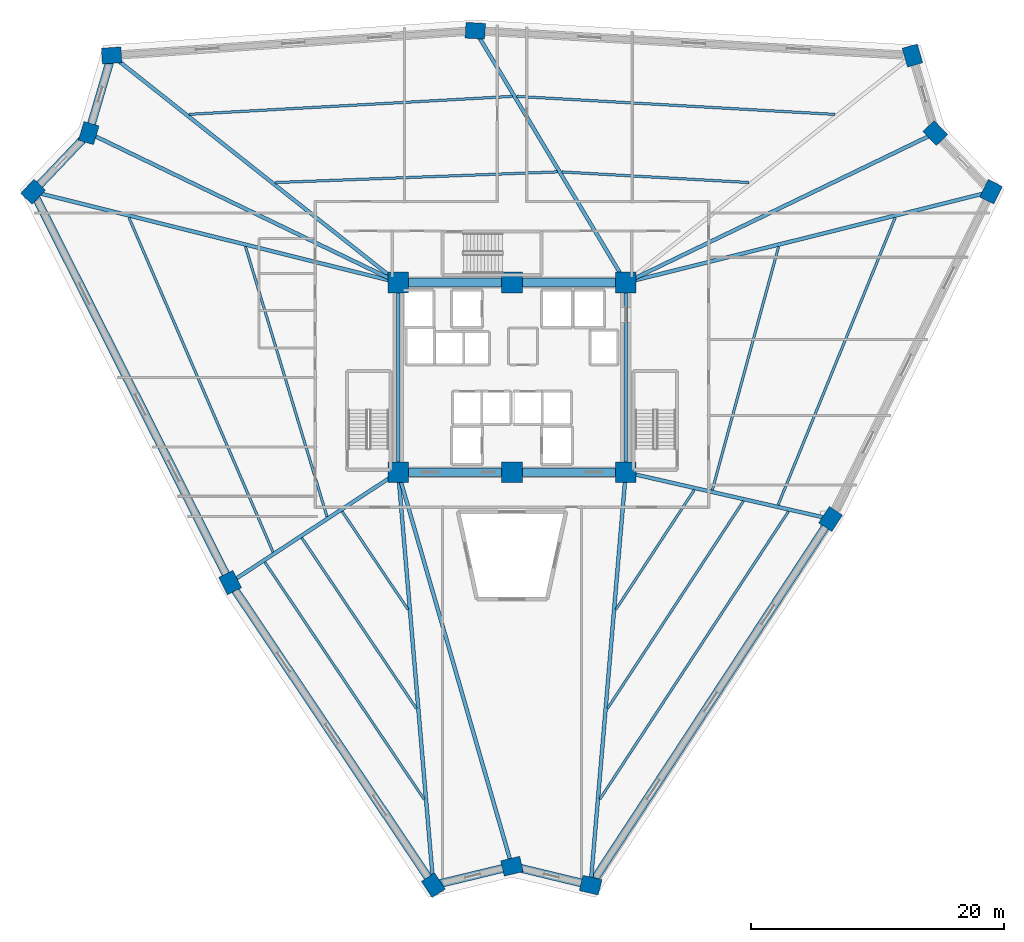
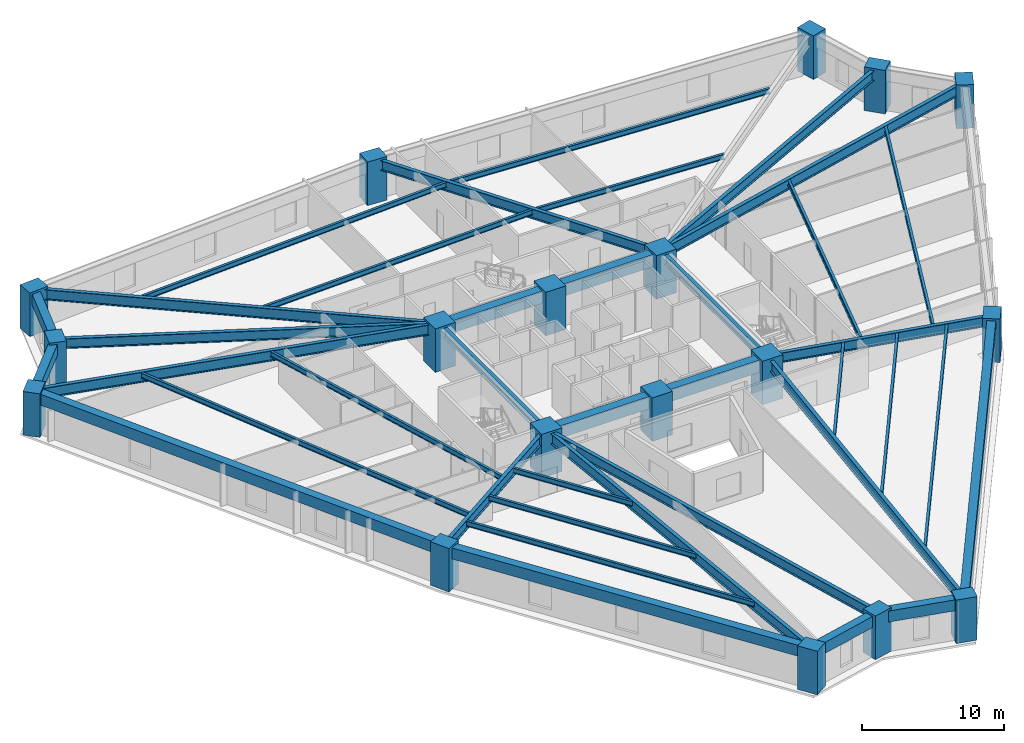
# One storey, part 1 of 9: 38 beams, 18 columns.
"""IFC4 building model written with IfcOpenShell, lengths in metres."""

from ifc_helpers import new_model, si_unit, direction, frame, origin, origin_2d, place, context, subcontext, project, spatial, rectangle, i_section, extrude, source, transform, mapped, material, material_profile, profile_set, type_object, element, save


model = new_model("IFC4")

# Units and contexts
model_context = context("Model", 3, precision=1e-05, world=origin(), true_north=direction((0.0, 1.0)))
body_context = subcontext(model_context, "Body", "Model", "MODEL_VIEW")
ifc_project = project(units=[si_unit("LENGTHUNIT", "METRE"), si_unit("AREAUNIT", "SQUARE_METRE"), si_unit("VOLUMEUNIT", "CUBIC_METRE"), si_unit("PLANEANGLEUNIT", "RADIAN"), si_unit("MASSUNIT", "GRAM", prefix="KILO")], contexts=[model_context])

# Site, building, storey
site_placement = place(None, origin())
site = spatial("IfcSite", under=ifc_project, at=site_placement, CompositionType="ELEMENT")
building_placement = place(site_placement, origin())
building = spatial("IfcBuilding", under=site, at=building_placement, Name="Liaohun Quay Tower", CompositionType="ELEMENT")
storey_placement = place(building_placement, frame((0.0, 0.0, 74.25)))
storey = spatial("IfcBuildingStorey", under=building, at=storey_placement, Name="L19", CompositionType="ELEMENT", Elevation=74.25)

# Columns
ifc_material_1 = material(Name="Concrete C60", Category="concrete")
ifc_material_profile_1 = material_profile(ifc_material_1, rectangle(XDim=1.64990234375, YDim=1.64990234375, at=origin_2d()), Name="RC1650x1650")
ifc_profile_set_1 = profile_set([ifc_material_profile_1], Name="Concrete C60")
column_type_1 = type_object("IfcColumnType", Name="COL-CC-Z1", PredefinedType="COLUMN", material=ifc_profile_set_1)
shared_shape_1 = source(origin(), body_context, "Body", "SweptSolid", [
    extrude(rectangle(XDim=1.64990234375, YDim=1.64990234375, at=origin_2d()), origin(), (0.0, 0.0, 1.0), 3.75),
])
for number, where, z_axis, x_axis, name in (
    (1, (51.0, 46.5, 0.0), (0.0, 0.0, 1.0), (1.0, 0.0, 0.0), "L19 Core Column CC1"),
    (2, (60.0, 46.5, 0.0), (0.0, 0.0, 1.0), (1.0, 0.0, 0.0), "L19 Core Column CC2"),
    (3, (69.0, 46.5, 0.0), (0.0, 0.0, 1.0), (1.0, 0.0, 0.0), "L19 Core Column CC3"),
    (4, (69.0, 61.5, 0.0), (0.0, 0.0, 1.0), (1.0, 0.0, 0.0), "L19 Core Column CC4"),
    (5, (60.0, 61.5, 0.0), (0.0, 0.0, 1.0), (1.0, 0.0, 0.0), "L19 Core Column CC5"),
    (6, (51.0, 61.5, 0.0), (0.0, 0.0, 1.0), (1.0, 0.0, 0.0), "L19 Core Column CC6"),
):
    element("IfcColumn", number, at=place(storey_placement, frame(where, z_axis=z_axis, x_axis=x_axis)), inside=storey, type_object=column_type_1, Name=name, PredefinedType="COLUMN", context=body_context, shape_type="MappedRepresentation", body=[
        mapped(shared_shape_1, transform((0.0, 0.0, 0.0), x_axis=(1.0, 0.0, 0.0), y_axis=(0.0, 1.0, 0.0), z_axis=(0.0, 0.0, 1.0), scale=1.0)),
    ])
ifc_material_profile_2 = material_profile(ifc_material_1, rectangle(XDim=1.550048828125, YDim=1.25, at=origin_2d()), Name="RC1550x1250")
ifc_profile_set_2 = profile_set([ifc_material_profile_2], Name="Concrete C60")
column_type_2 = type_object("IfcColumnType", Name="COL-PIER-Z1", PredefinedType="COLUMN", material=ifc_profile_set_2)
shared_shape_2 = source(origin(), body_context, "Body", "SweptSolid", [
    extrude(rectangle(XDim=1.550048828125, YDim=1.25, at=origin_2d()), origin(), (0.0, 0.0, 1.0), 3.75),
])
for number, where, z_axis, x_axis, name in (
    (7, (53.777099609375, 13.843994140625, 0.0), (0.0, 0.0, 1.0), (-0.557455346062, 0.830206924295, 0.0), "L19 Perimeter Pier PC01"),
    (8, (37.70703125, 37.777099609375, 0.0), (0.0, 0.0, 1.0), (-0.450254288408, 0.892900372813, 0.0), "L19 Perimeter Pier PC02"),
    (9, (22.117919921875, 68.693115234375, 0.0), (0.0, 0.0, 1.0), (0.68936671806, 0.724412539946, 0.0), "L19 Perimeter Pier PC03"),
    (10, (26.52587890625, 73.325927734375, 0.0), (0.0, 0.0, 1.0), (0.282676303383, 0.959215360337, 0.0), "L19 Perimeter Pier PC04"),
    (11, (28.3359375, 79.467041015625, 0.0), (0.0, 0.0, 1.0), (0.997707959868, 0.067667029017, 0.0), "L19 Perimeter Pier PC05"),
    (12, (57.096923828125, 81.41796875, 0.0), (0.0, 0.0, 1.0), (-0.998401550109, 0.056518534482, 0.0), "L19 Perimeter Pier PC06"),
    (13, (91.666015625, 79.4599609375, 0.0), (0.0, 0.0, 1.0), (-0.282676303383, 0.959215360337, 0.0), "L19 Perimeter Pier PC07"),
    (14, (93.47412109375, 73.325927734375, 0.0), (0.0, 0.0, 1.0), (-0.68936671806, 0.724412539946, 0.0), "L19 Perimeter Pier PC08"),
    (15, (97.886962890625, 68.68798828125, 0.0), (0.0, 0.0, 1.0), (0.440252613806, 0.897873953312, 0.0), "L19 Perimeter Pier PC09"),
    (16, (85.196044921875, 42.805908203125, 0.0), (0.0, 0.0, 1.0), (0.548147261701, 0.836381838331, 0.0), "L19 Perimeter Pier PC10"),
    (17, (66.216064453125, 13.845947265625, 0.0), (0.0, 0.0, 1.0), (-0.972043021443, 0.234802820391, 0.0), "L19 Perimeter Pier PC11"),
    (18, (60.0, 15.346923828125, 0.0), (0.0, 0.0, 1.0), (0.972043021443, 0.234802820391, 0.0), "L19 Perimeter Pier PC12"),
):
    element("IfcColumn", number, at=place(storey_placement, frame(where, z_axis=z_axis, x_axis=x_axis)), inside=storey, type_object=column_type_2, Name=name, PredefinedType="COLUMN", context=body_context, shape_type="MappedRepresentation", body=[
        mapped(shared_shape_2, transform((0.0, 0.0, 0.0), x_axis=(1.0, 0.0, 0.0), y_axis=(0.0, 1.0, 0.0), z_axis=(0.0, 0.0, 1.0), scale=1.0)),
    ])

# Beams
ifc_material_profile_3 = material_profile(ifc_material_1, rectangle(XDim=0.699951171875, YDim=1.050048828125, at=origin_2d()), Name="RC700x1050")
ifc_profile_set_3 = profile_set([ifc_material_profile_3], Name="Concrete C60")
beam_type_1 = type_object("IfcBeamType", Name="BM-CPL-1", PredefinedType="LINTEL", material=ifc_profile_set_3)
shared_shape_3 = source(origin(), body_context, "Body", "SweptSolid", [
    extrude(rectangle(XDim=0.699951171875, YDim=1.050048828125, at=origin_2d()), origin(), (0.0, 0.0, 1.0), 9.0),
])
for number, where, z_axis, x_axis, name in (
    (19, (51.0, 46.5, 3.044921875), (1.0, 0.0, 0.0), (0.0, 1.0, 0.0), "L19 Core Coupling/Ring Beam CC1-CC2"),
    (20, (60.0, 46.5, 3.044921875), (1.0, 0.0, 0.0), (0.0, 1.0, 0.0), "L19 Core Coupling/Ring Beam CC2-CC3"),
    (21, (69.0, 61.5, 3.044921875), (-1.0, 0.0, 0.0), (0.0, -1.0, 0.0), "L19 Core Coupling/Ring Beam CC4-CC5"),
    (22, (60.0, 61.5, 3.044921875), (-1.0, 0.0, 0.0), (0.0, -1.0, 0.0), "L19 Core Coupling/Ring Beam CC5-CC6"),
):
    element("IfcBeam", number, at=place(storey_placement, frame(where, z_axis=z_axis, x_axis=x_axis)), inside=storey, type_object=beam_type_1, Name=name, PredefinedType="LINTEL", context=body_context, shape_type="MappedRepresentation", body=[
        mapped(shared_shape_3, transform((0.0, 0.0, 0.0), x_axis=(1.0, 0.0, 0.0), y_axis=(0.0, 1.0, 0.0), z_axis=(0.0, 0.0, 1.0), scale=1.0)),
    ])
ifc_material_2 = material(Name="Steel Q355D", Category="steel")
ifc_material_profile_4 = material_profile(ifc_material_2, i_section(OverallWidth=0.300048828125, OverallDepth=0.800048828125, WebThickness=0.013916015625, FlangeThickness=0.02587890625, at=origin_2d()), Name="HN800x300x14x26")
ifc_profile_set_4 = profile_set([ifc_material_profile_4], Name="Steel Q355D")
beam_type_2 = type_object("IfcBeamType", Name="BM-RAD-M1", PredefinedType="BEAM", material=ifc_profile_set_4)
shared_shape_4 = source(origin(), body_context, "Body", "SweptSolid", [
    extrude(i_section(OverallWidth=0.300048828125, OverallDepth=0.800048828125, WebThickness=0.013916015625, FlangeThickness=0.02587890625, at=origin_2d()), origin(), (0.0, 0.0, 1.0), 15.0),
])
for number, where, z_axis, x_axis, name in (
    (23, (69.0, 46.5, 3.169921875), (0.0, 1.0, 0.0), (-1.0, 0.0, 0.0), "L19 Core Coupling/Ring Beam CC3-CC4"),
    (24, (51.0, 61.5, 3.169921875), (0.0, -1.0, 0.0), (1.0, 0.0, 0.0), "L19 Core Coupling/Ring Beam CC6-CC1"),
):
    element("IfcBeam", number, at=place(storey_placement, frame(where, z_axis=z_axis, x_axis=x_axis)), inside=storey, type_object=beam_type_2, Name=name, PredefinedType="BEAM", context=body_context, shape_type="MappedRepresentation", body=[
        mapped(shared_shape_4, transform((0.0, 0.0, 0.0), x_axis=(1.0, 0.0, 0.0), y_axis=(0.0, 1.0, 0.0), z_axis=(0.0, 0.0, 1.0), scale=1.0)),
    ])
ifc_material_3 = material(Name="Steel Q420D", Category="steel")
ifc_material_profile_5 = material_profile(ifc_material_3, i_section(OverallWidth=0.300048828125, OverallDepth=0.89990234375, WebThickness=0.01611328125, FlangeThickness=0.028076171875, at=origin_2d()), Name="HN900x300x16x28")
ifc_profile_set_5 = profile_set([ifc_material_profile_5], Name="Steel Q420D")
beam_type_3 = type_object("IfcBeamType", Name="BM-RAD-H1", PredefinedType="BEAM", material=ifc_profile_set_5)
shared_shape_5 = source(origin(), body_context, "Body", "SweptSolid", [
    extrude(i_section(OverallWidth=0.300048828125, OverallDepth=0.89990234375, WebThickness=0.01611328125, FlangeThickness=0.028076171875, at=origin_2d()), origin(), (0.0, 0.0, 1.0), 32.77392578125),
])
beam_1_placement = place(storey_placement, frame((51.0, 46.5, 3.1201171875), z_axis=(0.084735157387, -0.996403509178, 0.0), x_axis=(0.996403509178, 0.084735157387, 0.0)))
element("IfcBeam", 25, at=beam_1_placement, inside=storey, type_object=beam_type_3, Name="L19 Radial Primary Girder CC1-PC01", PredefinedType="BEAM", context=body_context, shape_type="MappedRepresentation", body=[
    mapped(shared_shape_5, transform((0.0, 0.0, 0.0), x_axis=(1.0, 0.0, 0.0), y_axis=(0.0, 1.0, 0.0), z_axis=(0.0, 0.0, 1.0), scale=1.0)),
])
ifc_material_profile_6 = material_profile(ifc_material_2, i_section(OverallWidth=0.300048828125, OverallDepth=0.85009765625, WebThickness=0.01611328125, FlangeThickness=0.028076171875, at=origin_2d()), Name="HN850x300x16x28")
ifc_profile_set_6 = profile_set([ifc_material_profile_6], Name="Steel Q355D")
beam_type_4 = type_object("IfcBeamType", Name="BM-RAD-H2", PredefinedType="BEAM", material=ifc_profile_set_6)
shared_shape_6 = source(origin(), body_context, "Body", "SweptSolid", [
    extrude(i_section(OverallWidth=0.300048828125, OverallDepth=0.85009765625, WebThickness=0.01611328125, FlangeThickness=0.028076171875, at=origin_2d()), origin(), (0.0, 0.0, 1.0), 15.8994140625),
])
beam_2_placement = place(storey_placement, frame((51.0, 46.5, 3.14501953125), z_axis=(-0.836065519218, -0.54862960873, 0.0), x_axis=(0.54862960873, -0.836065519218, 0.0)))
element("IfcBeam", 26, at=beam_2_placement, inside=storey, type_object=beam_type_4, Name="L19 Radial Primary Girder CC1-PC02", PredefinedType="BEAM", context=body_context, shape_type="MappedRepresentation", body=[
    mapped(shared_shape_6, transform((0.0, 0.0, 0.0), x_axis=(1.0, 0.0, 0.0), y_axis=(0.0, 1.0, 0.0), z_axis=(0.0, 0.0, 1.0), scale=1.0)),
])
shared_shape_7 = source(origin(), body_context, "Body", "SweptSolid", [
    extrude(i_section(OverallWidth=0.300048828125, OverallDepth=0.89990234375, WebThickness=0.01611328125, FlangeThickness=0.028076171875, at=origin_2d()), origin(), (0.0, 0.0, 1.0), 29.764404296875),
])
beam_3_placement = place(storey_placement, frame((51.0, 61.5, 3.1201171875), z_axis=(-0.970358754461, 0.241668962923, 0.0), x_axis=(-0.241668962923, -0.970358754461, 0.0)))
element("IfcBeam", 27, at=beam_3_placement, inside=storey, type_object=beam_type_3, Name="L19 Radial Primary Girder CC6-PC03", PredefinedType="BEAM", context=body_context, shape_type="MappedRepresentation", body=[
    mapped(shared_shape_7, transform((0.0, 0.0, 0.0), x_axis=(1.0, 0.0, 0.0), y_axis=(0.0, 1.0, 0.0), z_axis=(0.0, 0.0, 1.0), scale=1.0)),
])
shared_shape_8 = source(origin(), body_context, "Body", "SweptSolid", [
    extrude(i_section(OverallWidth=0.300048828125, OverallDepth=0.85009765625, WebThickness=0.01611328125, FlangeThickness=0.028076171875, at=origin_2d()), origin(), (0.0, 0.0, 1.0), 27.181640625),
])
for number, where, z_axis, x_axis, name in (
    (28, (51.0, 61.5, 3.14501953125), (-0.900395517446, 0.435072306821, 0.0), (-0.435072306821, -0.900395517446, 0.0), "L19 Radial Primary Girder CC6-PC04"),
    (29, (69.0, 61.5, 3.14501953125), (0.900395517446, 0.435072306821, 0.0), (-0.435072306821, 0.900395517446, 0.0), "L19 Radial Primary Girder CC4-PC08"),
):
    element("IfcBeam", number, at=place(storey_placement, frame(where, z_axis=z_axis, x_axis=x_axis)), inside=storey, type_object=beam_type_4, Name=name, PredefinedType="BEAM", context=body_context, shape_type="MappedRepresentation", body=[
        mapped(shared_shape_8, transform((0.0, 0.0, 0.0), x_axis=(1.0, 0.0, 0.0), y_axis=(0.0, 1.0, 0.0), z_axis=(0.0, 0.0, 1.0), scale=1.0)),
    ])
shared_shape_9 = source(origin(), body_context, "Body", "SweptSolid", [
    extrude(i_section(OverallWidth=0.300048828125, OverallDepth=0.89990234375, WebThickness=0.01611328125, FlangeThickness=0.028076171875, at=origin_2d()), origin(), (0.0, 0.0, 1.0), 28.921875),
])
beam_4_placement = place(storey_placement, frame((51.0, 61.5, 3.1201171875), z_axis=(-0.783630733102, 0.621226910346, 0.0), x_axis=(-0.621226910346, -0.783630733102, 0.0)))
element("IfcBeam", 30, at=beam_4_placement, inside=storey, type_object=beam_type_3, Name="L19 Radial Primary Girder CC6-PC05", PredefinedType="BEAM", context=body_context, shape_type="MappedRepresentation", body=[
    mapped(shared_shape_9, transform((0.0, 0.0, 0.0), x_axis=(1.0, 0.0, 0.0), y_axis=(0.0, 1.0, 0.0), z_axis=(0.0, 0.0, 1.0), scale=1.0)),
])
shared_shape_10 = source(origin(), body_context, "Body", "SweptSolid", [
    extrude(i_section(OverallWidth=0.300048828125, OverallDepth=0.85009765625, WebThickness=0.01611328125, FlangeThickness=0.028076171875, at=origin_2d()), origin(), (0.0, 0.0, 1.0), 23.20361328125),
])
beam_5_placement = place(storey_placement, frame((69.0, 61.5, 3.14501953125), z_axis=(-0.512983241791, 0.858398621645, 0.0), x_axis=(-0.858398621645, -0.512983241791, 0.0)))
element("IfcBeam", 31, at=beam_5_placement, inside=storey, type_object=beam_type_4, Name="L19 Radial Primary Girder CC4-PC06", PredefinedType="BEAM", context=body_context, shape_type="MappedRepresentation", body=[
    mapped(shared_shape_10, transform((0.0, 0.0, 0.0), x_axis=(1.0, 0.0, 0.0), y_axis=(0.0, 1.0, 0.0), z_axis=(0.0, 0.0, 1.0), scale=1.0)),
])
shared_shape_11 = source(origin(), body_context, "Body", "SweptSolid", [
    extrude(i_section(OverallWidth=0.300048828125, OverallDepth=0.89990234375, WebThickness=0.01611328125, FlangeThickness=0.028076171875, at=origin_2d()), origin(), (0.0, 0.0, 1.0), 29.767822265625),
])
beam_6_placement = place(storey_placement, frame((69.0, 61.5, 3.1201171875), z_axis=(0.970408702908, 0.241468319495, 0.0), x_axis=(-0.241468319495, 0.970408702908, 0.0)))
element("IfcBeam", 32, at=beam_6_placement, inside=storey, type_object=beam_type_3, Name="L19 Radial Primary Girder CC4-PC09", PredefinedType="BEAM", context=body_context, shape_type="MappedRepresentation", body=[
    mapped(shared_shape_11, transform((0.0, 0.0, 0.0), x_axis=(1.0, 0.0, 0.0), y_axis=(0.0, 1.0, 0.0), z_axis=(0.0, 0.0, 1.0), scale=1.0)),
])
shared_shape_12 = source(origin(), body_context, "Body", "SweptSolid", [
    extrude(i_section(OverallWidth=0.300048828125, OverallDepth=0.85009765625, WebThickness=0.01611328125, FlangeThickness=0.028076171875, at=origin_2d()), origin(), (0.0, 0.0, 1.0), 16.612060546875),
])
beam_7_placement = place(storey_placement, frame((69.0, 46.5, 3.14501953125), z_axis=(0.974961199586, -0.222375041995, 0.0), x_axis=(0.222375041995, 0.974961199586, 0.0)))
element("IfcBeam", 33, at=beam_7_placement, inside=storey, type_object=beam_type_4, Name="L19 Radial Primary Girder CC3-PC10", PredefinedType="BEAM", context=body_context, shape_type="MappedRepresentation", body=[
    mapped(shared_shape_12, transform((0.0, 0.0, 0.0), x_axis=(1.0, 0.0, 0.0), y_axis=(0.0, 1.0, 0.0), z_axis=(0.0, 0.0, 1.0), scale=1.0)),
])
shared_shape_13 = source(origin(), body_context, "Body", "SweptSolid", [
    extrude(i_section(OverallWidth=0.300048828125, OverallDepth=0.89990234375, WebThickness=0.01611328125, FlangeThickness=0.028076171875, at=origin_2d()), origin(), (0.0, 0.0, 1.0), 32.7724609375),
])
beam_8_placement = place(storey_placement, frame((69.0, 46.5, 3.1201171875), z_axis=(-0.084947277094, -0.996385447563, 0.0), x_axis=(0.996385447563, -0.084947277094, 0.0)))
element("IfcBeam", 34, at=beam_8_placement, inside=storey, type_object=beam_type_3, Name="L19 Radial Primary Girder CC3-PC11", PredefinedType="BEAM", context=body_context, shape_type="MappedRepresentation", body=[
    mapped(shared_shape_13, transform((0.0, 0.0, 0.0), x_axis=(1.0, 0.0, 0.0), y_axis=(0.0, 1.0, 0.0), z_axis=(0.0, 0.0, 1.0), scale=1.0)),
])
shared_shape_14 = source(origin(), body_context, "Body", "SweptSolid", [
    extrude(i_section(OverallWidth=0.300048828125, OverallDepth=0.85009765625, WebThickness=0.01611328125, FlangeThickness=0.028076171875, at=origin_2d()), origin(), (0.0, 0.0, 1.0), 32.427001953125),
])
beam_9_placement = place(storey_placement, frame((51.0, 46.5, 3.14501953125), z_axis=(0.277545984105, -0.960712353781, 0.0), x_axis=(0.960712353781, 0.277545984105, 0.0)))
element("IfcBeam", 35, at=beam_9_placement, inside=storey, type_object=beam_type_4, Name="L19 Radial Primary Girder CC1-PC12", PredefinedType="BEAM", context=body_context, shape_type="MappedRepresentation", body=[
    mapped(shared_shape_14, transform((0.0, 0.0, 0.0), x_axis=(1.0, 0.0, 0.0), y_axis=(0.0, 1.0, 0.0), z_axis=(0.0, 0.0, 1.0), scale=1.0)),
])
ifc_material_profile_7 = material_profile(ifc_material_2, i_section(OverallWidth=0.199951171875, OverallDepth=0.449951171875, WebThickness=0.009033203125, FlangeThickness=0.013916015625, at=origin_2d()), Name="HN450x200x9x14")
ifc_profile_set_7 = profile_set([ifc_material_profile_7], Name="Steel Q355D")
beam_type_5 = type_object("IfcBeamType", Name="BM-SEC-J1", PredefinedType="JOIST", material=ifc_profile_set_7)
shared_shape_15 = source(origin(), body_context, "Body", "SweptSolid", [
    extrude(i_section(OverallWidth=0.199951171875, OverallDepth=0.449951171875, WebThickness=0.009033203125, FlangeThickness=0.013916015625, at=origin_2d()), origin(), (0.0, 0.0, 1.0), 9.34228515625),
])
beam_10_placement = place(storey_placement, frame((51.77197265625, 35.654052734375, 3.344970703125), z_axis=(-0.557471241996, 0.830196250502, 0.0), x_axis=(-0.830196250502, -0.557471241996, 0.0)))
element("IfcBeam", 36, at=beam_10_placement, inside=storey, type_object=beam_type_5, Name="L19 Wing Secondary Floor Joist SJ-01", PredefinedType="JOIST", context=body_context, shape_type="MappedRepresentation", body=[
    mapped(shared_shape_15, transform((0.0, 0.0, 0.0), x_axis=(1.0, 0.0, 0.0), y_axis=(0.0, 1.0, 0.0), z_axis=(0.0, 0.0, 1.0), scale=1.0)),
])
shared_shape_16 = source(origin(), body_context, "Body", "SweptSolid", [
    extrude(i_section(OverallWidth=0.199951171875, OverallDepth=0.449951171875, WebThickness=0.009033203125, FlangeThickness=0.013916015625, at=origin_2d()), origin(), (0.0, 0.0, 1.0), 16.260498046875),
])
beam_11_placement = place(storey_placement, frame((52.43798828125, 27.81591796875, 3.344970703125), z_axis=(-0.557420586454, 0.830230263118, 0.0), x_axis=(-0.830230263118, -0.557420586454, 0.0)))
element("IfcBeam", 37, at=beam_11_placement, inside=storey, type_object=beam_type_5, Name="L19 Wing Secondary Floor Joist SJ-02", PredefinedType="JOIST", context=body_context, shape_type="MappedRepresentation", body=[
    mapped(shared_shape_16, transform((0.0, 0.0, 0.0), x_axis=(1.0, 0.0, 0.0), y_axis=(0.0, 1.0, 0.0), z_axis=(0.0, 0.0, 1.0), scale=1.0)),
])
shared_shape_17 = source(origin(), body_context, "Body", "SweptSolid", [
    extrude(i_section(OverallWidth=0.199951171875, OverallDepth=0.449951171875, WebThickness=0.009033203125, FlangeThickness=0.013916015625, at=origin_2d()), origin(), (0.0, 0.0, 1.0), 22.602783203125),
])
beam_12_placement = place(storey_placement, frame((53.049072265625, 20.632080078125, 3.344970703125), z_axis=(-0.557458968959, 0.830204491633, 0.0), x_axis=(-0.830204491633, -0.557458968959, 0.0)))
element("IfcBeam", 38, at=beam_12_placement, inside=storey, type_object=beam_type_5, Name="L19 Wing Secondary Floor Joist SJ-03", PredefinedType="JOIST", context=body_context, shape_type="MappedRepresentation", body=[
    mapped(shared_shape_17, transform((0.0, 0.0, 0.0), x_axis=(1.0, 0.0, 0.0), y_axis=(0.0, 1.0, 0.0), z_axis=(0.0, 0.0, 1.0), scale=1.0)),
])
shared_shape_18 = source(origin(), body_context, "Body", "SweptSolid", [
    extrude(i_section(OverallWidth=0.199951171875, OverallDepth=0.449951171875, WebThickness=0.009033203125, FlangeThickness=0.013916015625, at=origin_2d()), origin(), (0.0, 0.0, 1.0), 22.32080078125),
])
beam_13_placement = place(storey_placement, frame((45.3720703125, 42.986083984375, 3.344970703125), z_axis=(-0.289064358546, 0.957309666001, 0.0), x_axis=(-0.957309666001, -0.289064358546, 0.0)))
element("IfcBeam", 39, at=beam_13_placement, inside=storey, type_object=beam_type_5, Name="L19 Wing Secondary Floor Joist SJ-04", PredefinedType="JOIST", context=body_context, shape_type="MappedRepresentation", body=[
    mapped(shared_shape_18, transform((0.0, 0.0, 0.0), x_axis=(1.0, 0.0, 0.0), y_axis=(0.0, 1.0, 0.0), z_axis=(0.0, 0.0, 1.0), scale=1.0)),
])
shared_shape_19 = source(origin(), body_context, "Body", "SweptSolid", [
    extrude(i_section(OverallWidth=0.199951171875, OverallDepth=0.449951171875, WebThickness=0.009033203125, FlangeThickness=0.013916015625, at=origin_2d()), origin(), (0.0, 0.0, 1.0), 28.816162109375),
])
beam_14_placement = place(storey_placement, frame((41.10302734375, 40.18505859375, 3.344970703125), z_axis=(-0.395649732373, 0.918401485883, 0.0), x_axis=(-0.918401485883, -0.395649732373, 0.0)))
element("IfcBeam", 40, at=beam_14_placement, inside=storey, type_object=beam_type_5, Name="L19 Wing Secondary Floor Joist SJ-05", PredefinedType="JOIST", context=body_context, shape_type="MappedRepresentation", body=[
    mapped(shared_shape_19, transform((0.0, 0.0, 0.0), x_axis=(1.0, 0.0, 0.0), y_axis=(0.0, 1.0, 0.0), z_axis=(0.0, 0.0, 1.0), scale=1.0)),
])
shared_shape_20 = source(origin(), body_context, "Body", "SweptSolid", [
    extrude(i_section(OverallWidth=0.199951171875, OverallDepth=0.449951171875, WebThickness=0.009033203125, FlangeThickness=0.013916015625, at=origin_2d()), origin(), (0.0, 0.0, 1.0), 22.349853515625),
])
beam_15_placement = place(storey_placement, frame((41.258056640625, 69.4140625, 3.344970703125), z_axis=(0.999288381748, 0.037719094689, 0.0), x_axis=(-0.037719094689, 0.999288381748, 0.0)))
element("IfcBeam", 41, at=beam_15_placement, inside=storey, type_object=beam_type_5, Name="L19 Wing Secondary Floor Joist SJ-06", PredefinedType="JOIST", context=body_context, shape_type="MappedRepresentation", body=[
    mapped(shared_shape_20, transform((0.0, 0.0, 0.0), x_axis=(1.0, 0.0, 0.0), y_axis=(0.0, 1.0, 0.0), z_axis=(0.0, 0.0, 1.0), scale=1.0)),
])
shared_shape_21 = source(origin(), body_context, "Body", "SweptSolid", [
    extrude(i_section(OverallWidth=0.199951171875, OverallDepth=0.449951171875, WebThickness=0.009033203125, FlangeThickness=0.013916015625, at=origin_2d()), origin(), (0.0, 0.0, 1.0), 25.6083984375),
])
beam_16_placement = place(storey_placement, frame((34.4541015625, 74.80810546875, 3.344970703125), z_axis=(0.998457359659, 0.055523877233, 0.0), x_axis=(-0.055523877233, 0.998457359659, 0.0)))
element("IfcBeam", 42, at=beam_16_placement, inside=storey, type_object=beam_type_5, Name="L19 Wing Secondary Floor Joist SJ-07", PredefinedType="JOIST", context=body_context, shape_type="MappedRepresentation", body=[
    mapped(shared_shape_21, transform((0.0, 0.0, 0.0), x_axis=(1.0, 0.0, 0.0), y_axis=(0.0, 1.0, 0.0), z_axis=(0.0, 0.0, 1.0), scale=1.0)),
])
shared_shape_22 = source(origin(), body_context, "Body", "SweptSolid", [
    extrude(i_section(OverallWidth=0.199951171875, OverallDepth=0.449951171875, WebThickness=0.009033203125, FlangeThickness=0.013916015625, at=origin_2d()), origin(), (0.0, 0.0, 1.0), 14.82763671875),
])
beam_17_placement = place(storey_placement, frame((63.944091796875, 70.25390625, 3.344970703125), z_axis=(0.998398390742, -0.056574317176, 0.0), x_axis=(0.056574317176, 0.998398390742, 0.0)))
element("IfcBeam", 43, at=beam_17_placement, inside=storey, type_object=beam_type_5, Name="L19 Wing Secondary Floor Joist SJ-08", PredefinedType="JOIST", context=body_context, shape_type="MappedRepresentation", body=[
    mapped(shared_shape_22, transform((0.0, 0.0, 0.0), x_axis=(1.0, 0.0, 0.0), y_axis=(0.0, 1.0, 0.0), z_axis=(0.0, 0.0, 1.0), scale=1.0)),
])
shared_shape_23 = source(origin(), body_context, "Body", "SweptSolid", [
    extrude(i_section(OverallWidth=0.199951171875, OverallDepth=0.449951171875, WebThickness=0.009033203125, FlangeThickness=0.013916015625, at=origin_2d()), origin(), (0.0, 0.0, 1.0), 25.21435546875),
])
beam_18_placement = place(storey_placement, frame((60.373046875, 76.22900390625, 3.344970703125), z_axis=(0.99839943277, -0.056555924925, 0.0), x_axis=(0.056555924925, 0.99839943277, 0.0)))
element("IfcBeam", 44, at=beam_18_placement, inside=storey, type_object=beam_type_5, Name="L19 Wing Secondary Floor Joist SJ-09", PredefinedType="JOIST", context=body_context, shape_type="MappedRepresentation", body=[
    mapped(shared_shape_23, transform((0.0, 0.0, 0.0), x_axis=(1.0, 0.0, 0.0), y_axis=(0.0, 1.0, 0.0), z_axis=(0.0, 0.0, 1.0), scale=1.0)),
])
shared_shape_24 = source(origin(), body_context, "Body", "SweptSolid", [
    extrude(i_section(OverallWidth=0.199951171875, OverallDepth=0.449951171875, WebThickness=0.009033203125, FlangeThickness=0.013916015625, at=origin_2d()), origin(), (0.0, 0.0, 1.0), 19.96142578125),
])
beam_19_placement = place(storey_placement, frame((81.0869140625, 64.35302734375, 3.344970703125), z_axis=(-0.262751031844, -0.964863666673, 0.0), x_axis=(0.964863666673, -0.262751031844, 0.0)))
element("IfcBeam", 45, at=beam_19_placement, inside=storey, type_object=beam_type_5, Name="L19 Wing Secondary Floor Joist SJ-10", PredefinedType="JOIST", context=body_context, shape_type="MappedRepresentation", body=[
    mapped(shared_shape_24, transform((0.0, 0.0, 0.0), x_axis=(1.0, 0.0, 0.0), y_axis=(0.0, 1.0, 0.0), z_axis=(0.0, 0.0, 1.0), scale=1.0)),
])
shared_shape_25 = source(origin(), body_context, "Body", "SweptSolid", [
    extrude(i_section(OverallWidth=0.199951171875, OverallDepth=0.449951171875, WebThickness=0.009033203125, FlangeThickness=0.013916015625, at=origin_2d()), origin(), (0.0, 0.0, 1.0), 24.5546875),
])
beam_20_placement = place(storey_placement, frame((90.305908203125, 66.64697265625, 3.344970703125), z_axis=(-0.37727856914, -0.926099822518, 0.0), x_axis=(0.926099822518, -0.37727856914, 0.0)))
element("IfcBeam", 46, at=beam_20_placement, inside=storey, type_object=beam_type_5, Name="L19 Wing Secondary Floor Joist SJ-11", PredefinedType="JOIST", context=body_context, shape_type="MappedRepresentation", body=[
    mapped(shared_shape_25, transform((0.0, 0.0, 0.0), x_axis=(1.0, 0.0, 0.0), y_axis=(0.0, 1.0, 0.0), z_axis=(0.0, 0.0, 1.0), scale=1.0)),
])
shared_shape_26 = source(origin(), body_context, "Body", "SweptSolid", [
    extrude(i_section(OverallWidth=0.199951171875, OverallDepth=0.449951171875, WebThickness=0.009033203125, FlangeThickness=0.013916015625, at=origin_2d()), origin(), (0.0, 0.0, 1.0), 11.296630859375),
])
beam_21_placement = place(storey_placement, frame((74.4189453125, 45.110107421875, 3.344970703125), z_axis=(-0.548199875481, -0.836347353988, 0.0), x_axis=(0.836347353988, -0.548199875481, 0.0)))
element("IfcBeam", 47, at=beam_21_placement, inside=storey, type_object=beam_type_5, Name="L19 Wing Secondary Floor Joist SJ-12", PredefinedType="JOIST", context=body_context, shape_type="MappedRepresentation", body=[
    mapped(shared_shape_26, transform((0.0, 0.0, 0.0), x_axis=(1.0, 0.0, 0.0), y_axis=(0.0, 1.0, 0.0), z_axis=(0.0, 0.0, 1.0), scale=1.0)),
])
shared_shape_27 = source(origin(), body_context, "Body", "SweptSolid", [
    extrude(i_section(OverallWidth=0.199951171875, OverallDepth=0.449951171875, WebThickness=0.009033203125, FlangeThickness=0.013916015625, at=origin_2d()), origin(), (0.0, 0.0, 1.0), 19.607421875),
])
beam_22_placement = place(storey_placement, frame((78.305908203125, 44.22412109375, 3.344970703125), z_axis=(-0.548151822623, -0.836378849179, 0.0), x_axis=(0.836378849179, -0.548151822623, 0.0)))
element("IfcBeam", 48, at=beam_22_placement, inside=storey, type_object=beam_type_5, Name="L19 Wing Secondary Floor Joist SJ-13", PredefinedType="JOIST", context=body_context, shape_type="MappedRepresentation", body=[
    mapped(shared_shape_27, transform((0.0, 0.0, 0.0), x_axis=(1.0, 0.0, 0.0), y_axis=(0.0, 1.0, 0.0), z_axis=(0.0, 0.0, 1.0), scale=1.0)),
])
shared_shape_28 = source(origin(), body_context, "Body", "SweptSolid", [
    extrude(i_section(OverallWidth=0.199951171875, OverallDepth=0.449951171875, WebThickness=0.009033203125, FlangeThickness=0.013916015625, at=origin_2d()), origin(), (0.0, 0.0, 1.0), 27.22412109375),
])
beam_23_placement = place(storey_placement, frame((81.868896484375, 43.410888671875, 3.344970703125), z_axis=(-0.548147630153, -0.836381596855, 0.0), x_axis=(0.836381596855, -0.548147630153, 0.0)))
element("IfcBeam", 49, at=beam_23_placement, inside=storey, type_object=beam_type_5, Name="L19 Wing Secondary Floor Joist SJ-14", PredefinedType="JOIST", context=body_context, shape_type="MappedRepresentation", body=[
    mapped(shared_shape_28, transform((0.0, 0.0, 0.0), x_axis=(1.0, 0.0, 0.0), y_axis=(0.0, 1.0, 0.0), z_axis=(0.0, 0.0, 1.0), scale=1.0)),
])
ifc_material_4 = material(Name="Precast concrete C55", Category="concrete")
ifc_material_profile_8 = material_profile(ifc_material_4, rectangle(XDim=0.64990234375, YDim=0.949951171875, at=origin_2d()), Name="RC650x950")
ifc_profile_set_8 = profile_set([ifc_material_profile_8], Name="Precast concrete C55")
beam_type_6 = type_object("IfcBeamType", Name="BM-SPD-Z1", PredefinedType="SPANDREL", material=ifc_profile_set_8)
shared_shape_29 = source(origin(), body_context, "Body", "SweptSolid", [
    extrude(rectangle(XDim=0.64990234375, YDim=0.949951171875, at=origin_2d()), origin(), (0.0, 0.0, 1.0), 28.827880859375),
])
beam_24_placement = place(storey_placement, frame((53.777099609375, 13.843994140625, 3.094970703125), z_axis=(-0.557450865943, 0.830209932522, 0.0), x_axis=(-0.830209932522, -0.557450865943, 0.0)))
element("IfcBeam", 50, at=beam_24_placement, inside=storey, type_object=beam_type_6, Name="L19 Precast Spandrel Beam PC01-PC02", PredefinedType="SPANDREL", context=body_context, shape_type="MappedRepresentation", body=[
    mapped(shared_shape_29, transform((0.0, 0.0, 0.0), x_axis=(1.0, 0.0, 0.0), y_axis=(0.0, 1.0, 0.0), z_axis=(0.0, 0.0, 1.0), scale=1.0)),
])
shared_shape_30 = source(origin(), body_context, "Body", "SweptSolid", [
    extrude(rectangle(XDim=0.64990234375, YDim=0.949951171875, at=origin_2d()), origin(), (0.0, 0.0, 1.0), 34.6240234375),
])
beam_25_placement = place(storey_placement, frame((37.70703125, 37.777099609375, 3.094970703125), z_axis=(-0.450240225915, 0.892907463833, 0.0), x_axis=(-0.892907463833, -0.450240225915, 0.0)))
element("IfcBeam", 51, at=beam_25_placement, inside=storey, type_object=beam_type_6, Name="L19 Precast Spandrel Beam PC02-PC03", PredefinedType="SPANDREL", context=body_context, shape_type="MappedRepresentation", body=[
    mapped(shared_shape_30, transform((0.0, 0.0, 0.0), x_axis=(1.0, 0.0, 0.0), y_axis=(0.0, 1.0, 0.0), z_axis=(0.0, 0.0, 1.0), scale=1.0)),
])
shared_shape_31 = source(origin(), body_context, "Body", "SweptSolid", [
    extrude(rectangle(XDim=0.64990234375, YDim=0.949951171875, at=origin_2d()), origin(), (0.0, 0.0, 1.0), 6.394775390625),
])
for number, where, z_axis, x_axis, name in (
    (52, (22.117919921875, 68.693115234375, 3.094970703125), (0.689307131095, 0.724469239527, 0.0), (-0.724469239527, 0.689307131095, 0.0), "L19 Precast Spandrel Beam PC03-PC04"),
    (53, (66.216064453125, 13.845947265625, 3.094970703125), (-0.97206268699, 0.234721393489, 0.0), (-0.234721393489, -0.97206268699, 0.0), "L19 Precast Spandrel Beam PC11-PC12"),
):
    element("IfcBeam", number, at=place(storey_placement, frame(where, z_axis=z_axis, x_axis=x_axis)), inside=storey, type_object=beam_type_6, Name=name, PredefinedType="SPANDREL", context=body_context, shape_type="MappedRepresentation", body=[
        mapped(shared_shape_31, transform((0.0, 0.0, 0.0), x_axis=(1.0, 0.0, 0.0), y_axis=(0.0, 1.0, 0.0), z_axis=(0.0, 0.0, 1.0), scale=1.0)),
    ])
shared_shape_32 = source(origin(), body_context, "Body", "SweptSolid", [
    extrude(rectangle(XDim=0.64990234375, YDim=0.949951171875, at=origin_2d()), origin(), (0.0, 0.0, 1.0), 6.40234375),
])
beam_26_placement = place(storey_placement, frame((26.52587890625, 73.325927734375, 3.094970703125), z_axis=(0.282719572849, 0.959202607965, 0.0), x_axis=(-0.959202607965, 0.282719572849, 0.0)))
element("IfcBeam", 54, at=beam_26_placement, inside=storey, type_object=beam_type_6, Name="L19 Precast Spandrel Beam PC04-PC05", PredefinedType="SPANDREL", context=body_context, shape_type="MappedRepresentation", body=[
    mapped(shared_shape_32, transform((0.0, 0.0, 0.0), x_axis=(1.0, 0.0, 0.0), y_axis=(0.0, 1.0, 0.0), z_axis=(0.0, 0.0, 1.0), scale=1.0)),
])
shared_shape_33 = source(origin(), body_context, "Body", "SweptSolid", [
    extrude(rectangle(XDim=0.64990234375, YDim=0.949951171875, at=origin_2d()), origin(), (0.0, 0.0, 1.0), 6.40185546875),
])
beam_27_placement = place(storey_placement, frame((60.0, 15.346923828125, 3.094970703125), z_axis=(-0.972051905812, -0.234766037592, 0.0), x_axis=(0.234766037592, -0.972051905812, 0.0)))
element("IfcBeam", 55, at=beam_27_placement, inside=storey, type_object=beam_type_6, Name="L19 Precast Spandrel Beam PC12-PC01", PredefinedType="SPANDREL", context=body_context, shape_type="MappedRepresentation", body=[
    mapped(shared_shape_33, transform((0.0, 0.0, 0.0), x_axis=(1.0, 0.0, 0.0), y_axis=(0.0, 1.0, 0.0), z_axis=(0.0, 0.0, 1.0), scale=1.0)),
])
shared_shape_34 = source(origin(), body_context, "Body", "SweptSolid", [
    extrude(rectangle(XDim=0.64990234375, YDim=0.949951171875, at=origin_2d()), origin(), (0.0, 0.0, 1.0), 34.62548828125),
])
beam_28_placement = place(storey_placement, frame((85.196044921875, 42.805908203125, 3.094970703125), z_axis=(-0.548151794867, -0.836378867371, 0.0), x_axis=(0.836378867371, -0.548151794867, 0.0)))
element("IfcBeam", 56, at=beam_28_placement, inside=storey, type_object=beam_type_6, Name="L19 Precast Spandrel Beam PC10-PC11", PredefinedType="SPANDREL", context=body_context, shape_type="MappedRepresentation", body=[
    mapped(shared_shape_34, transform((0.0, 0.0, 0.0), x_axis=(1.0, 0.0, 0.0), y_axis=(0.0, 1.0, 0.0), z_axis=(0.0, 0.0, 1.0), scale=1.0)),
])

save(model, "model.ifc")
